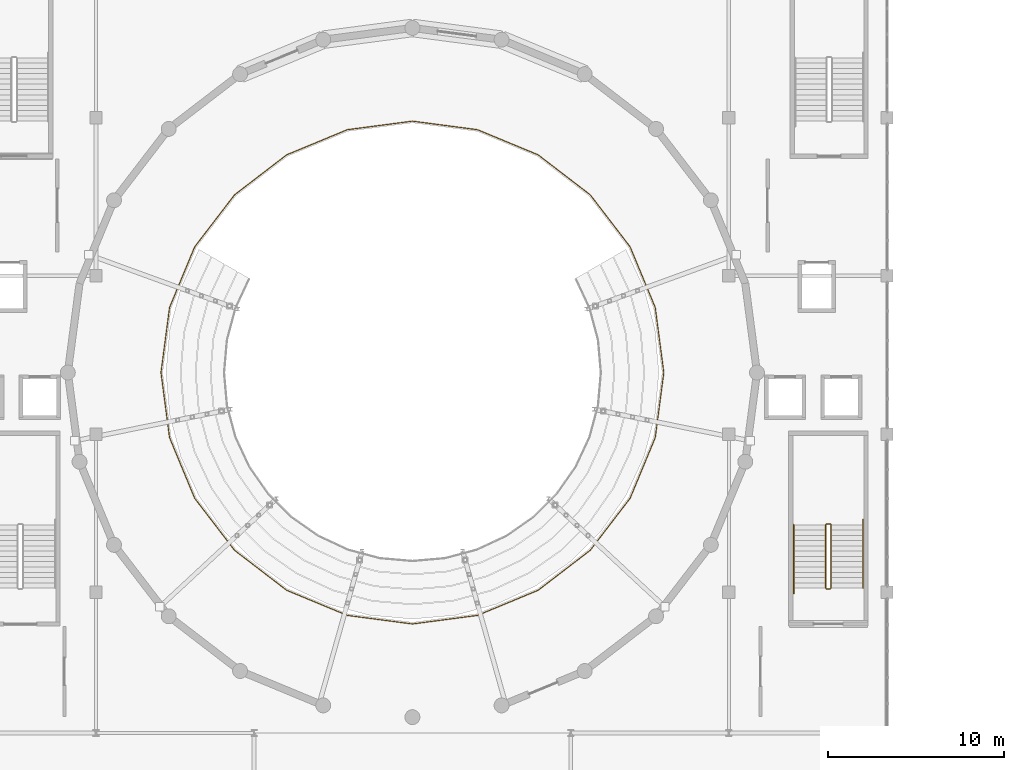
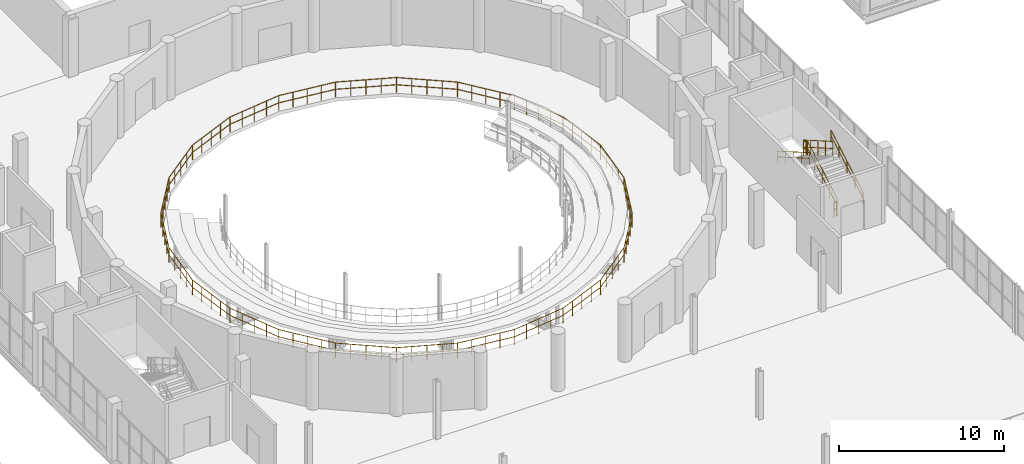
# One storey, part 68 of 73: 7 railings.
"""IFC4 building model written with IfcOpenShell, lengths in metres."""

from ifc_helpers import new_model, si_unit, direction, frame, origin, origin_2d, place, context, subcontext, project, spatial, circle, extrude, material, type_object, element, save


model = new_model("IFC4")

# Units and contexts
model_context = context("Model", 3, precision=1e-05, world=origin(), true_north=direction((0.0, 1.0)))
body_context = subcontext(model_context, "Body", "Model", "MODEL_VIEW")
ifc_project = project(units=[si_unit("LENGTHUNIT", "METRE"), si_unit("AREAUNIT", "SQUARE_METRE"), si_unit("VOLUMEUNIT", "CUBIC_METRE"), si_unit("PLANEANGLEUNIT", "RADIAN"), si_unit("MASSUNIT", "GRAM", prefix="KILO")], contexts=[model_context])

# Site, building, storey
site_placement = place(None, origin())
site = spatial("IfcSite", under=ifc_project, at=site_placement, CompositionType="ELEMENT")
building_placement = place(site_placement, origin())
building = spatial("IfcBuilding", under=site, at=building_placement, Name="Marnock Terrace Opera House", CompositionType="ELEMENT")
storey_placement = place(building_placement, frame((0.0, 0.0, 14.699951171875)))
storey = spatial("IfcBuildingStorey", under=building, at=storey_placement, Name="L03", CompositionType="ELEMENT", Elevation=14.699951171875)

# Railings
ifc_material = material(Name="Architectural bronze balustrade")
railing_type_1 = type_object("IfcRailingType", Name="RL-ATRIUM-1120", PredefinedType="BALUSTRADE", material=ifc_material)
railing_1_placement = place(storey_placement, frame((96.300048828125, 60.5, 0.0)))
element("IfcRailing", 1, at=railing_1_placement, inside=storey, type_object=railing_type_1, Name="L03 floor opening balustrade AUD-BOWL", PredefinedType="BALUSTRADE", context=body_context, shape_type="SweptSolid", body=[
    extrude(circle(Radius=0.02392578125, at=origin_2d()), frame((0.0, 0.0, 1.09619140625), z_axis=(-0.130479890315, 0.991450956035, 0.0), x_axis=(-0.991450956035, -0.130479890315, 0.0)), (0.0, 0.0, 1.0), 3.73291015625),
    extrude(circle(Radius=0.02392578125, at=origin_2d()), frame((0.0, 0.0, 0.56005859375), z_axis=(-0.130479890315, 0.991450956035, 0.0), x_axis=(-0.991450956035, -0.130479890315, 0.0)), (0.0, 0.0, 1.0), 3.73291015625),
    extrude(circle(Radius=0.02392578125, at=origin_2d()), frame((-0.487060546875, 3.700927734375, 1.09619140625), z_axis=(-0.382761856702, 0.923847044188, 0.0), x_axis=(-0.923847044188, -0.382761856702, 0.0)), (0.0, 0.0, 1.0), 3.733154296875),
    extrude(circle(Radius=0.02392578125, at=origin_2d()), frame((-0.487060546875, 3.700927734375, 0.56005859375), z_axis=(-0.382761856702, 0.923847044188, 0.0), x_axis=(-0.923847044188, -0.382761856702, 0.0)), (0.0, 0.0, 1.0), 3.733154296875),
    extrude(circle(Radius=0.02392578125, at=origin_2d()), frame((-1.916015625, 7.14990234375, 1.09619140625), z_axis=(-0.608597657863, 0.793478979459, 0.0), x_axis=(-0.793478979459, -0.608597657863, 0.0)), (0.0, 0.0, 1.0), 3.733154296875),
    extrude(circle(Radius=0.02392578125, at=origin_2d()), frame((-1.916015625, 7.14990234375, 0.56005859375), z_axis=(-0.608597657863, 0.793478979459, 0.0), x_axis=(-0.793478979459, -0.608597657863, 0.0)), (0.0, 0.0, 1.0), 3.733154296875),
    extrude(circle(Radius=0.02392578125, at=origin_2d()), frame((-4.18798828125, 10.112060546875, 1.09619140625), z_axis=(-0.793478979459, 0.608597657863, 0.0), x_axis=(-0.608597657863, -0.793478979459, 0.0)), (0.0, 0.0, 1.0), 3.733154296875),
    extrude(circle(Radius=0.02392578125, at=origin_2d()), frame((-4.18798828125, 10.112060546875, 0.56005859375), z_axis=(-0.793478979459, 0.608597657863, 0.0), x_axis=(-0.608597657863, -0.793478979459, 0.0)), (0.0, 0.0, 1.0), 3.733154296875),
    extrude(circle(Radius=0.02392578125, at=origin_2d()), frame((-7.150146484375, 12.384033203125, 1.09619140625), z_axis=(-0.923847044188, 0.382761856702, 0.0), x_axis=(-0.382761856702, -0.923847044188, 0.0)), (0.0, 0.0, 1.0), 3.733154296875),
    extrude(circle(Radius=0.02392578125, at=origin_2d()), frame((-7.150146484375, 12.384033203125, 0.56005859375), z_axis=(-0.923847044188, 0.382761856702, 0.0), x_axis=(-0.382761856702, -0.923847044188, 0.0)), (0.0, 0.0, 1.0), 3.733154296875),
    extrude(circle(Radius=0.02392578125, at=origin_2d()), frame((-10.59912109375, 13.81298828125, 1.09619140625), z_axis=(-0.991450956035, 0.130479890315, 0.0), x_axis=(-0.130479890315, -0.991450956035, 0.0)), (0.0, 0.0, 1.0), 3.73291015625),
    extrude(circle(Radius=0.02392578125, at=origin_2d()), frame((-10.59912109375, 13.81298828125, 0.56005859375), z_axis=(-0.991450956035, 0.130479890315, 0.0), x_axis=(-0.130479890315, -0.991450956035, 0.0)), (0.0, 0.0, 1.0), 3.73291015625),
    extrude(circle(Radius=0.02392578125, at=origin_2d()), frame((-14.300048828125, 14.300048828125, 1.09619140625), z_axis=(-0.991450956035, -0.130479890315, 0.0), x_axis=(0.130479890315, -0.991450956035, 0.0)), (0.0, 0.0, 1.0), 3.73291015625),
    extrude(circle(Radius=0.02392578125, at=origin_2d()), frame((-14.300048828125, 14.300048828125, 0.56005859375), z_axis=(-0.991450956035, -0.130479890315, 0.0), x_axis=(0.130479890315, -0.991450956035, 0.0)), (0.0, 0.0, 1.0), 3.73291015625),
    extrude(circle(Radius=0.02392578125, at=origin_2d()), frame((-18.0009765625, 13.81298828125, 1.09619140625), z_axis=(-0.923847044188, -0.382761856702, 0.0), x_axis=(0.382761856702, -0.923847044188, 0.0)), (0.0, 0.0, 1.0), 3.733154296875),
    extrude(circle(Radius=0.02392578125, at=origin_2d()), frame((-18.0009765625, 13.81298828125, 0.56005859375), z_axis=(-0.923847044188, -0.382761856702, 0.0), x_axis=(0.382761856702, -0.923847044188, 0.0)), (0.0, 0.0, 1.0), 3.733154296875),
    extrude(circle(Radius=0.02392578125, at=origin_2d()), frame((-21.449951171875, 12.384033203125, 1.09619140625), z_axis=(-0.793478979459, -0.608597657863, 0.0), x_axis=(0.608597657863, -0.793478979459, 0.0)), (0.0, 0.0, 1.0), 3.733154296875),
    extrude(circle(Radius=0.02392578125, at=origin_2d()), frame((-21.449951171875, 12.384033203125, 0.56005859375), z_axis=(-0.793478979459, -0.608597657863, 0.0), x_axis=(0.608597657863, -0.793478979459, 0.0)), (0.0, 0.0, 1.0), 3.733154296875),
    extrude(circle(Radius=0.02392578125, at=origin_2d()), frame((-24.412109375, 10.112060546875, 1.09619140625), z_axis=(-0.608597657863, -0.793478979459, 0.0), x_axis=(0.793478979459, -0.608597657863, 0.0)), (0.0, 0.0, 1.0), 3.733154296875),
    extrude(circle(Radius=0.02392578125, at=origin_2d()), frame((-24.412109375, 10.112060546875, 0.56005859375), z_axis=(-0.608597657863, -0.793478979459, 0.0), x_axis=(0.793478979459, -0.608597657863, 0.0)), (0.0, 0.0, 1.0), 3.733154296875),
    extrude(circle(Radius=0.02392578125, at=origin_2d()), frame((-26.68408203125, 7.14990234375, 1.09619140625), z_axis=(-0.382761856702, -0.923847044188, 0.0), x_axis=(0.923847044188, -0.382761856702, 0.0)), (0.0, 0.0, 1.0), 3.733154296875),
    extrude(circle(Radius=0.02392578125, at=origin_2d()), frame((-26.68408203125, 7.14990234375, 0.56005859375), z_axis=(-0.382761856702, -0.923847044188, 0.0), x_axis=(0.923847044188, -0.382761856702, 0.0)), (0.0, 0.0, 1.0), 3.733154296875),
    extrude(circle(Radius=0.02392578125, at=origin_2d()), frame((-28.113037109375, 3.700927734375, 1.09619140625), z_axis=(-0.130479890315, -0.991450956035, 0.0), x_axis=(0.991450956035, -0.130479890315, 0.0)), (0.0, 0.0, 1.0), 3.73291015625),
    extrude(circle(Radius=0.02392578125, at=origin_2d()), frame((-28.113037109375, 3.700927734375, 0.56005859375), z_axis=(-0.130479890315, -0.991450956035, 0.0), x_axis=(0.991450956035, -0.130479890315, 0.0)), (0.0, 0.0, 1.0), 3.73291015625),
    extrude(circle(Radius=0.02392578125, at=origin_2d()), frame((-28.60009765625, 0.0, 1.09619140625), z_axis=(0.130479890315, -0.991450956035, 0.0), x_axis=(0.991450956035, 0.130479890315, 0.0)), (0.0, 0.0, 1.0), 3.73291015625),
    extrude(circle(Radius=0.02392578125, at=origin_2d()), frame((-28.60009765625, 0.0, 0.56005859375), z_axis=(0.130479890315, -0.991450956035, 0.0), x_axis=(0.991450956035, 0.130479890315, 0.0)), (0.0, 0.0, 1.0), 3.73291015625),
    extrude(circle(Radius=0.02392578125, at=origin_2d()), frame((-28.113037109375, -3.700927734375, 1.09619140625), z_axis=(0.382761856702, -0.923847044188, 0.0), x_axis=(0.923847044188, 0.382761856702, 0.0)), (0.0, 0.0, 1.0), 3.733154296875),
    extrude(circle(Radius=0.02392578125, at=origin_2d()), frame((-28.113037109375, -3.700927734375, 0.56005859375), z_axis=(0.382761856702, -0.923847044188, 0.0), x_axis=(0.923847044188, 0.382761856702, 0.0)), (0.0, 0.0, 1.0), 3.733154296875),
    extrude(circle(Radius=0.02392578125, at=origin_2d()), frame((-26.68408203125, -7.14990234375, 1.09619140625), z_axis=(0.608597657863, -0.793478979459, 0.0), x_axis=(0.793478979459, 0.608597657863, 0.0)), (0.0, 0.0, 1.0), 3.733154296875),
    extrude(circle(Radius=0.02392578125, at=origin_2d()), frame((-26.68408203125, -7.14990234375, 0.56005859375), z_axis=(0.608597657863, -0.793478979459, 0.0), x_axis=(0.793478979459, 0.608597657863, 0.0)), (0.0, 0.0, 1.0), 3.733154296875),
    extrude(circle(Radius=0.02392578125, at=origin_2d()), frame((-24.412109375, -10.112060546875, 1.09619140625), z_axis=(0.793478979459, -0.608597657863, 0.0), x_axis=(0.608597657863, 0.793478979459, 0.0)), (0.0, 0.0, 1.0), 3.733154296875),
    extrude(circle(Radius=0.02392578125, at=origin_2d()), frame((-24.412109375, -10.112060546875, 0.56005859375), z_axis=(0.793478979459, -0.608597657863, 0.0), x_axis=(0.608597657863, 0.793478979459, 0.0)), (0.0, 0.0, 1.0), 3.733154296875),
    extrude(circle(Radius=0.02392578125, at=origin_2d()), frame((-21.449951171875, -12.384033203125, 1.09619140625), z_axis=(0.923847044188, -0.382761856702, 0.0), x_axis=(0.382761856702, 0.923847044188, 0.0)), (0.0, 0.0, 1.0), 3.733154296875),
    extrude(circle(Radius=0.02392578125, at=origin_2d()), frame((-21.449951171875, -12.384033203125, 0.56005859375), z_axis=(0.923847044188, -0.382761856702, 0.0), x_axis=(0.382761856702, 0.923847044188, 0.0)), (0.0, 0.0, 1.0), 3.733154296875),
    extrude(circle(Radius=0.02392578125, at=origin_2d()), frame((-18.0009765625, -13.81298828125, 1.09619140625), z_axis=(0.991450956035, -0.130479890315, 0.0), x_axis=(0.130479890315, 0.991450956035, 0.0)), (0.0, 0.0, 1.0), 3.73291015625),
    extrude(circle(Radius=0.02392578125, at=origin_2d()), frame((-18.0009765625, -13.81298828125, 0.56005859375), z_axis=(0.991450956035, -0.130479890315, 0.0), x_axis=(0.130479890315, 0.991450956035, 0.0)), (0.0, 0.0, 1.0), 3.73291015625),
    extrude(circle(Radius=0.02392578125, at=origin_2d()), frame((-14.300048828125, -14.300048828125, 1.09619140625), z_axis=(0.991450956035, 0.130479890315, 0.0), x_axis=(-0.130479890315, 0.991450956035, 0.0)), (0.0, 0.0, 1.0), 3.73291015625),
    extrude(circle(Radius=0.02392578125, at=origin_2d()), frame((-14.300048828125, -14.300048828125, 0.56005859375), z_axis=(0.991450956035, 0.130479890315, 0.0), x_axis=(-0.130479890315, 0.991450956035, 0.0)), (0.0, 0.0, 1.0), 3.73291015625),
    extrude(circle(Radius=0.02392578125, at=origin_2d()), frame((-10.59912109375, -13.81298828125, 1.09619140625), z_axis=(0.923847044188, 0.382761856702, 0.0), x_axis=(-0.382761856702, 0.923847044188, 0.0)), (0.0, 0.0, 1.0), 3.733154296875),
    extrude(circle(Radius=0.02392578125, at=origin_2d()), frame((-10.59912109375, -13.81298828125, 0.56005859375), z_axis=(0.923847044188, 0.382761856702, 0.0), x_axis=(-0.382761856702, 0.923847044188, 0.0)), (0.0, 0.0, 1.0), 3.733154296875),
    extrude(circle(Radius=0.02392578125, at=origin_2d()), frame((-7.150146484375, -12.384033203125, 1.09619140625), z_axis=(0.793478979459, 0.608597657863, 0.0), x_axis=(-0.608597657863, 0.793478979459, 0.0)), (0.0, 0.0, 1.0), 3.733154296875),
    extrude(circle(Radius=0.02392578125, at=origin_2d()), frame((-7.150146484375, -12.384033203125, 0.56005859375), z_axis=(0.793478979459, 0.608597657863, 0.0), x_axis=(-0.608597657863, 0.793478979459, 0.0)), (0.0, 0.0, 1.0), 3.733154296875),
    extrude(circle(Radius=0.02392578125, at=origin_2d()), frame((-4.18798828125, -10.112060546875, 1.09619140625), z_axis=(0.608597657863, 0.793478979459, 0.0), x_axis=(-0.793478979459, 0.608597657863, 0.0)), (0.0, 0.0, 1.0), 3.733154296875),
    extrude(circle(Radius=0.02392578125, at=origin_2d()), frame((-4.18798828125, -10.112060546875, 0.56005859375), z_axis=(0.608597657863, 0.793478979459, 0.0), x_axis=(-0.793478979459, 0.608597657863, 0.0)), (0.0, 0.0, 1.0), 3.733154296875),
    extrude(circle(Radius=0.02392578125, at=origin_2d()), frame((-1.916015625, -7.14990234375, 1.09619140625), z_axis=(0.382761856702, 0.923847044188, 0.0), x_axis=(-0.923847044188, 0.382761856702, 0.0)), (0.0, 0.0, 1.0), 3.733154296875),
    extrude(circle(Radius=0.02392578125, at=origin_2d()), frame((-1.916015625, -7.14990234375, 0.56005859375), z_axis=(0.382761856702, 0.923847044188, 0.0), x_axis=(-0.923847044188, 0.382761856702, 0.0)), (0.0, 0.0, 1.0), 3.733154296875),
    extrude(circle(Radius=0.02392578125, at=origin_2d()), frame((-0.487060546875, -3.700927734375, 1.09619140625), z_axis=(0.130479890315, 0.991450956035, 0.0), x_axis=(-0.991450956035, 0.130479890315, 0.0)), (0.0, 0.0, 1.0), 3.73291015625),
    extrude(circle(Radius=0.02392578125, at=origin_2d()), frame((-0.487060546875, -3.700927734375, 0.56005859375), z_axis=(0.130479890315, 0.991450956035, 0.0), x_axis=(-0.991450956035, 0.130479890315, 0.0)), (0.0, 0.0, 1.0), 3.73291015625),
    extrude(circle(Radius=0.02099609375, at=origin_2d()), origin(), (0.0, 0.0, 1.0), 1.072021484375),
    extrude(circle(Radius=0.02099609375, at=origin_2d()), frame((-0.121826171875, 0.92529296875, 0.0)), (0.0, 0.0, 1.0), 1.072021484375),
    extrude(circle(Radius=0.02099609375, at=origin_2d()), frame((-0.24365234375, 1.8505859375, 0.0)), (0.0, 0.0, 1.0), 1.072021484375),
    extrude(circle(Radius=0.02099609375, at=origin_2d()), frame((-0.365234375, 2.775634765625, 0.0)), (0.0, 0.0, 1.0), 1.072021484375),
    extrude(circle(Radius=0.02099609375, at=origin_2d()), frame((-0.487060546875, 3.700927734375, 0.0)), (0.0, 0.0, 1.0), 1.072021484375),
    extrude(circle(Radius=0.02099609375, at=origin_2d()), frame((-0.84423828125, 4.563232421875, 0.0)), (0.0, 0.0, 1.0), 1.072021484375),
    extrude(circle(Radius=0.02099609375, at=origin_2d()), frame((-1.20166015625, 5.42529296875, 0.0)), (0.0, 0.0, 1.0), 1.072021484375),
    extrude(circle(Radius=0.02099609375, at=origin_2d()), frame((-1.558837890625, 6.28759765625, 0.0)), (0.0, 0.0, 1.0), 1.072021484375),
    extrude(circle(Radius=0.02099609375, at=origin_2d()), frame((-1.916015625, 7.14990234375, 0.0)), (0.0, 0.0, 1.0), 1.072021484375),
    extrude(circle(Radius=0.02099609375, at=origin_2d()), frame((-2.48388671875, 7.890380859375, 0.0)), (0.0, 0.0, 1.0), 1.072021484375),
    extrude(circle(Radius=0.02099609375, at=origin_2d()), frame((-3.052001953125, 8.630859375, 0.0)), (0.0, 0.0, 1.0), 1.072021484375),
    extrude(circle(Radius=0.02099609375, at=origin_2d()), frame((-3.6201171875, 9.37158203125, 0.0)), (0.0, 0.0, 1.0), 1.072021484375),
    extrude(circle(Radius=0.02099609375, at=origin_2d()), frame((-4.18798828125, 10.112060546875, 0.0)), (0.0, 0.0, 1.0), 1.072021484375),
    extrude(circle(Radius=0.02099609375, at=origin_2d()), frame((-4.928466796875, 10.68017578125, 0.0)), (0.0, 0.0, 1.0), 1.072021484375),
    extrude(circle(Radius=0.02099609375, at=origin_2d()), frame((-5.6689453125, 11.248046875, 0.0)), (0.0, 0.0, 1.0), 1.072021484375),
    extrude(circle(Radius=0.02099609375, at=origin_2d()), frame((-6.40966796875, 11.81591796875, 0.0)), (0.0, 0.0, 1.0), 1.072021484375),
    extrude(circle(Radius=0.02099609375, at=origin_2d()), frame((-7.150146484375, 12.384033203125, 0.0)), (0.0, 0.0, 1.0), 1.072021484375),
    extrude(circle(Radius=0.02099609375, at=origin_2d()), frame((-8.012451171875, 12.7412109375, 0.0)), (0.0, 0.0, 1.0), 1.072021484375),
    extrude(circle(Radius=0.02099609375, at=origin_2d()), frame((-8.87451171875, 13.0986328125, 0.0)), (0.0, 0.0, 1.0), 1.072021484375),
    extrude(circle(Radius=0.02099609375, at=origin_2d()), frame((-9.73681640625, 13.455810546875, 0.0)), (0.0, 0.0, 1.0), 1.072021484375),
    extrude(circle(Radius=0.02099609375, at=origin_2d()), frame((-10.59912109375, 13.81298828125, 0.0)), (0.0, 0.0, 1.0), 1.072021484375),
    extrude(circle(Radius=0.02099609375, at=origin_2d()), frame((-11.5244140625, 13.934814453125, 0.0)), (0.0, 0.0, 1.0), 1.072021484375),
    extrude(circle(Radius=0.02099609375, at=origin_2d()), frame((-12.44970703125, 14.056640625, 0.0)), (0.0, 0.0, 1.0), 1.072021484375),
    extrude(circle(Radius=0.02099609375, at=origin_2d()), frame((-13.374755859375, 14.17822265625, 0.0)), (0.0, 0.0, 1.0), 1.072021484375),
    extrude(circle(Radius=0.02099609375, at=origin_2d()), frame((-14.300048828125, 14.300048828125, 0.0)), (0.0, 0.0, 1.0), 1.072021484375),
    extrude(circle(Radius=0.02099609375, at=origin_2d()), frame((-15.225341796875, 14.17822265625, 0.0)), (0.0, 0.0, 1.0), 1.072021484375),
    extrude(circle(Radius=0.02099609375, at=origin_2d()), frame((-16.150390625, 14.056640625, 0.0)), (0.0, 0.0, 1.0), 1.072021484375),
    extrude(circle(Radius=0.02099609375, at=origin_2d()), frame((-17.07568359375, 13.934814453125, 0.0)), (0.0, 0.0, 1.0), 1.072021484375),
    extrude(circle(Radius=0.02099609375, at=origin_2d()), frame((-18.0009765625, 13.81298828125, 0.0)), (0.0, 0.0, 1.0), 1.072021484375),
    extrude(circle(Radius=0.02099609375, at=origin_2d()), frame((-18.86328125, 13.455810546875, 0.0)), (0.0, 0.0, 1.0), 1.072021484375),
    extrude(circle(Radius=0.02099609375, at=origin_2d()), frame((-19.7255859375, 13.0986328125, 0.0)), (0.0, 0.0, 1.0), 1.072021484375),
    extrude(circle(Radius=0.02099609375, at=origin_2d()), frame((-20.587646484375, 12.7412109375, 0.0)), (0.0, 0.0, 1.0), 1.072021484375),
    extrude(circle(Radius=0.02099609375, at=origin_2d()), frame((-21.449951171875, 12.384033203125, 0.0)), (0.0, 0.0, 1.0), 1.072021484375),
    extrude(circle(Radius=0.02099609375, at=origin_2d()), frame((-22.1904296875, 11.81591796875, 0.0)), (0.0, 0.0, 1.0), 1.072021484375),
    extrude(circle(Radius=0.02099609375, at=origin_2d()), frame((-22.93115234375, 11.248046875, 0.0)), (0.0, 0.0, 1.0), 1.072021484375),
    extrude(circle(Radius=0.02099609375, at=origin_2d()), frame((-23.671630859375, 10.68017578125, 0.0)), (0.0, 0.0, 1.0), 1.072021484375),
    extrude(circle(Radius=0.02099609375, at=origin_2d()), frame((-24.412109375, 10.112060546875, 0.0)), (0.0, 0.0, 1.0), 1.072021484375),
    extrude(circle(Radius=0.02099609375, at=origin_2d()), frame((-24.97998046875, 9.37158203125, 0.0)), (0.0, 0.0, 1.0), 1.072021484375),
    extrude(circle(Radius=0.02099609375, at=origin_2d()), frame((-25.548095703125, 8.630859375, 0.0)), (0.0, 0.0, 1.0), 1.072021484375),
    extrude(circle(Radius=0.02099609375, at=origin_2d()), frame((-26.1162109375, 7.890380859375, 0.0)), (0.0, 0.0, 1.0), 1.072021484375),
    extrude(circle(Radius=0.02099609375, at=origin_2d()), frame((-26.68408203125, 7.14990234375, 0.0)), (0.0, 0.0, 1.0), 1.072021484375),
    extrude(circle(Radius=0.02099609375, at=origin_2d()), frame((-27.041259765625, 6.28759765625, 0.0)), (0.0, 0.0, 1.0), 1.072021484375),
    extrude(circle(Radius=0.02099609375, at=origin_2d()), frame((-27.3984375, 5.42529296875, 0.0)), (0.0, 0.0, 1.0), 1.072021484375),
    extrude(circle(Radius=0.02099609375, at=origin_2d()), frame((-27.755859375, 4.563232421875, 0.0)), (0.0, 0.0, 1.0), 1.072021484375),
    extrude(circle(Radius=0.02099609375, at=origin_2d()), frame((-28.113037109375, 3.700927734375, 0.0)), (0.0, 0.0, 1.0), 1.072021484375),
    extrude(circle(Radius=0.02099609375, at=origin_2d()), frame((-28.23486328125, 2.775634765625, 0.0)), (0.0, 0.0, 1.0), 1.072021484375),
    extrude(circle(Radius=0.02099609375, at=origin_2d()), frame((-28.3564453125, 1.8505859375, 0.0)), (0.0, 0.0, 1.0), 1.072021484375),
    extrude(circle(Radius=0.02099609375, at=origin_2d()), frame((-28.478271484375, 0.92529296875, 0.0)), (0.0, 0.0, 1.0), 1.072021484375),
    extrude(circle(Radius=0.02099609375, at=origin_2d()), frame((-28.60009765625, 0.0, 0.0)), (0.0, 0.0, 1.0), 1.072021484375),
    extrude(circle(Radius=0.02099609375, at=origin_2d()), frame((-28.478271484375, -0.92529296875, 0.0)), (0.0, 0.0, 1.0), 1.072021484375),
    extrude(circle(Radius=0.02099609375, at=origin_2d()), frame((-28.3564453125, -1.8505859375, 0.0)), (0.0, 0.0, 1.0), 1.072021484375),
    extrude(circle(Radius=0.02099609375, at=origin_2d()), frame((-28.23486328125, -2.775634765625, 0.0)), (0.0, 0.0, 1.0), 1.072021484375),
    extrude(circle(Radius=0.02099609375, at=origin_2d()), frame((-28.113037109375, -3.700927734375, 0.0)), (0.0, 0.0, 1.0), 1.072021484375),
    extrude(circle(Radius=0.02099609375, at=origin_2d()), frame((-27.755859375, -4.563232421875, 0.0)), (0.0, 0.0, 1.0), 1.072021484375),
    extrude(circle(Radius=0.02099609375, at=origin_2d()), frame((-27.3984375, -5.42529296875, 0.0)), (0.0, 0.0, 1.0), 1.072021484375),
    extrude(circle(Radius=0.02099609375, at=origin_2d()), frame((-27.041259765625, -6.28759765625, 0.0)), (0.0, 0.0, 1.0), 1.072021484375),
    extrude(circle(Radius=0.02099609375, at=origin_2d()), frame((-26.68408203125, -7.14990234375, 0.0)), (0.0, 0.0, 1.0), 1.072021484375),
    extrude(circle(Radius=0.02099609375, at=origin_2d()), frame((-26.1162109375, -7.890380859375, 0.0)), (0.0, 0.0, 1.0), 1.072021484375),
    extrude(circle(Radius=0.02099609375, at=origin_2d()), frame((-25.548095703125, -8.630859375, 0.0)), (0.0, 0.0, 1.0), 1.072021484375),
    extrude(circle(Radius=0.02099609375, at=origin_2d()), frame((-24.97998046875, -9.37158203125, 0.0)), (0.0, 0.0, 1.0), 1.072021484375),
    extrude(circle(Radius=0.02099609375, at=origin_2d()), frame((-24.412109375, -10.112060546875, 0.0)), (0.0, 0.0, 1.0), 1.072021484375),
    extrude(circle(Radius=0.02099609375, at=origin_2d()), frame((-23.671630859375, -10.68017578125, 0.0)), (0.0, 0.0, 1.0), 1.072021484375),
    extrude(circle(Radius=0.02099609375, at=origin_2d()), frame((-22.93115234375, -11.248046875, 0.0)), (0.0, 0.0, 1.0), 1.072021484375),
    extrude(circle(Radius=0.02099609375, at=origin_2d()), frame((-22.1904296875, -11.81591796875, 0.0)), (0.0, 0.0, 1.0), 1.072021484375),
    extrude(circle(Radius=0.02099609375, at=origin_2d()), frame((-21.449951171875, -12.384033203125, 0.0)), (0.0, 0.0, 1.0), 1.072021484375),
    extrude(circle(Radius=0.02099609375, at=origin_2d()), frame((-20.587646484375, -12.7412109375, 0.0)), (0.0, 0.0, 1.0), 1.072021484375),
    extrude(circle(Radius=0.02099609375, at=origin_2d()), frame((-19.7255859375, -13.0986328125, 0.0)), (0.0, 0.0, 1.0), 1.072021484375),
    extrude(circle(Radius=0.02099609375, at=origin_2d()), frame((-18.86328125, -13.455810546875, 0.0)), (0.0, 0.0, 1.0), 1.072021484375),
    extrude(circle(Radius=0.02099609375, at=origin_2d()), frame((-18.0009765625, -13.81298828125, 0.0)), (0.0, 0.0, 1.0), 1.072021484375),
    extrude(circle(Radius=0.02099609375, at=origin_2d()), frame((-17.07568359375, -13.934814453125, 0.0)), (0.0, 0.0, 1.0), 1.072021484375),
    extrude(circle(Radius=0.02099609375, at=origin_2d()), frame((-16.150390625, -14.056640625, 0.0)), (0.0, 0.0, 1.0), 1.072021484375),
    extrude(circle(Radius=0.02099609375, at=origin_2d()), frame((-15.225341796875, -14.17822265625, 0.0)), (0.0, 0.0, 1.0), 1.072021484375),
    extrude(circle(Radius=0.02099609375, at=origin_2d()), frame((-14.300048828125, -14.300048828125, 0.0)), (0.0, 0.0, 1.0), 1.072021484375),
    extrude(circle(Radius=0.02099609375, at=origin_2d()), frame((-13.374755859375, -14.17822265625, 0.0)), (0.0, 0.0, 1.0), 1.072021484375),
    extrude(circle(Radius=0.02099609375, at=origin_2d()), frame((-12.44970703125, -14.056640625, 0.0)), (0.0, 0.0, 1.0), 1.072021484375),
    extrude(circle(Radius=0.02099609375, at=origin_2d()), frame((-11.5244140625, -13.934814453125, 0.0)), (0.0, 0.0, 1.0), 1.072021484375),
    extrude(circle(Radius=0.02099609375, at=origin_2d()), frame((-10.59912109375, -13.81298828125, 0.0)), (0.0, 0.0, 1.0), 1.072021484375),
    extrude(circle(Radius=0.02099609375, at=origin_2d()), frame((-9.73681640625, -13.455810546875, 0.0)), (0.0, 0.0, 1.0), 1.072021484375),
    extrude(circle(Radius=0.02099609375, at=origin_2d()), frame((-8.87451171875, -13.0986328125, 0.0)), (0.0, 0.0, 1.0), 1.072021484375),
    extrude(circle(Radius=0.02099609375, at=origin_2d()), frame((-8.012451171875, -12.7412109375, 0.0)), (0.0, 0.0, 1.0), 1.072021484375),
    extrude(circle(Radius=0.02099609375, at=origin_2d()), frame((-7.150146484375, -12.384033203125, 0.0)), (0.0, 0.0, 1.0), 1.072021484375),
    extrude(circle(Radius=0.02099609375, at=origin_2d()), frame((-6.40966796875, -11.81591796875, 0.0)), (0.0, 0.0, 1.0), 1.072021484375),
    extrude(circle(Radius=0.02099609375, at=origin_2d()), frame((-5.6689453125, -11.248046875, 0.0)), (0.0, 0.0, 1.0), 1.072021484375),
    extrude(circle(Radius=0.02099609375, at=origin_2d()), frame((-4.928466796875, -10.68017578125, 0.0)), (0.0, 0.0, 1.0), 1.072021484375),
    extrude(circle(Radius=0.02099609375, at=origin_2d()), frame((-4.18798828125, -10.112060546875, 0.0)), (0.0, 0.0, 1.0), 1.072021484375),
    extrude(circle(Radius=0.02099609375, at=origin_2d()), frame((-3.6201171875, -9.37158203125, 0.0)), (0.0, 0.0, 1.0), 1.072021484375),
    extrude(circle(Radius=0.02099609375, at=origin_2d()), frame((-3.052001953125, -8.630859375, 0.0)), (0.0, 0.0, 1.0), 1.072021484375),
    extrude(circle(Radius=0.02099609375, at=origin_2d()), frame((-2.48388671875, -7.890380859375, 0.0)), (0.0, 0.0, 1.0), 1.072021484375),
    extrude(circle(Radius=0.02099609375, at=origin_2d()), frame((-1.916015625, -7.14990234375, 0.0)), (0.0, 0.0, 1.0), 1.072021484375),
    extrude(circle(Radius=0.02099609375, at=origin_2d()), frame((-1.558837890625, -6.28759765625, 0.0)), (0.0, 0.0, 1.0), 1.072021484375),
    extrude(circle(Radius=0.02099609375, at=origin_2d()), frame((-1.20166015625, -5.42529296875, 0.0)), (0.0, 0.0, 1.0), 1.072021484375),
    extrude(circle(Radius=0.02099609375, at=origin_2d()), frame((-0.84423828125, -4.563232421875, 0.0)), (0.0, 0.0, 1.0), 1.072021484375),
    extrude(circle(Radius=0.02099609375, at=origin_2d()), frame((-0.487060546875, -3.700927734375, 0.0)), (0.0, 0.0, 1.0), 1.072021484375),
    extrude(circle(Radius=0.02099609375, at=origin_2d()), frame((-0.365234375, -2.775634765625, 0.0)), (0.0, 0.0, 1.0), 1.072021484375),
    extrude(circle(Radius=0.02099609375, at=origin_2d()), frame((-0.24365234375, -1.8505859375, 0.0)), (0.0, 0.0, 1.0), 1.072021484375),
    extrude(circle(Radius=0.02099609375, at=origin_2d()), frame((-0.121826171875, -0.92529296875, 0.0)), (0.0, 0.0, 1.0), 1.072021484375),
])
railing_type_2 = type_object("IfcRailingType", Name="RL-GUARD-1100", PredefinedType="GUARDRAIL", material=ifc_material)
railing_2_placement = place(storey_placement, frame((105.81005859375, 48.239990234375, 0.173095703125)))
element("IfcRailing", 2, at=railing_2_placement, inside=storey, type_object=railing_type_2, Name="L03 ST-02 stair guard 1", PredefinedType="GUARDRAIL", context=body_context, shape_type="SweptSolid", body=[
    extrude(circle(Radius=0.02392578125, at=origin_2d()), frame((0.0, 0.0, 1.076171875), z_axis=(0.0, 0.866193409371, 0.499708892819), x_axis=(-1.0, 0.0, 0.0)), (0.0, 0.0, 1.0), 4.15625),
    extrude(circle(Radius=0.02392578125, at=origin_2d()), frame((0.0, 0.0, 0.550048828125), z_axis=(0.0, 0.866193409371, 0.499708892819), x_axis=(-1.0, 0.0, 0.0)), (0.0, 0.0, 1.0), 4.15625),
    extrude(circle(Radius=0.02099609375, at=origin_2d()), origin(), (0.0, 0.0, 1.0), 1.052001953125),
    extrude(circle(Radius=0.02099609375, at=origin_2d()), frame((0.0, 0.89990234375, 0.519287109375)), (0.0, 0.0, 1.0), 1.052001953125),
    extrude(circle(Radius=0.02099609375, at=origin_2d()), frame((0.0, 1.800048828125, 1.03857421875)), (0.0, 0.0, 1.0), 1.052001953125),
    extrude(circle(Radius=0.02099609375, at=origin_2d()), frame((0.0, 2.7001953125, 1.5576171875)), (0.0, 0.0, 1.0), 1.052001953125),
    extrude(circle(Radius=0.02099609375, at=origin_2d()), frame((0.0, 3.60009765625, 2.076904296875)), (0.0, 0.0, 1.0), 1.052001953125),
])
railing_3_placement = place(storey_placement, frame((105.760009765625, 51.889892578125, 2.25)))
element("IfcRailing", 3, at=railing_3_placement, inside=storey, type_object=railing_type_2, Name="L03 ST-02 stair guard 2", PredefinedType="GUARDRAIL", context=body_context, shape_type="SweptSolid", body=[
    extrude(circle(Radius=0.02392578125, at=origin_2d()), frame((0.0, 0.0, 1.076171875), z_axis=(-1.0, 0.0, 0.0), x_axis=(0.0, -1.0, 0.0)), (0.0, 0.0, 1.0), 0.199951171875),
    extrude(circle(Radius=0.02392578125, at=origin_2d()), frame((0.0, 0.0, 0.550048828125), z_axis=(-1.0, 0.0, 0.0), x_axis=(0.0, -1.0, 0.0)), (0.0, 0.0, 1.0), 0.199951171875),
    extrude(circle(Radius=0.02099609375, at=origin_2d()), origin(), (0.0, 0.0, 1.0), 1.052001953125),
    extrude(circle(Radius=0.02099609375, at=origin_2d()), frame((-0.199951171875, 0.0, 0.0)), (0.0, 0.0, 1.0), 1.052001953125),
])
railing_4_placement = place(storey_placement, frame((105.510009765625, 51.840087890625, 2.423095703125)))
element("IfcRailing", 4, at=railing_4_placement, inside=storey, type_object=railing_type_2, Name="L03 ST-02 stair guard 3", PredefinedType="GUARDRAIL", context=body_context, shape_type="SweptSolid", body=[
    extrude(circle(Radius=0.02392578125, at=origin_2d()), frame((0.0, 0.0, 1.076171875), z_axis=(0.0, -0.866193409371, 0.499708892819), x_axis=(1.0, 0.0, 0.0)), (0.0, 0.0, 1.0), 4.15625),
    extrude(circle(Radius=0.02392578125, at=origin_2d()), frame((0.0, 0.0, 0.550048828125), z_axis=(0.0, -0.866193409371, 0.499708892819), x_axis=(1.0, 0.0, 0.0)), (0.0, 0.0, 1.0), 4.15625),
    extrude(circle(Radius=0.02099609375, at=origin_2d()), origin(), (0.0, 0.0, 1.0), 1.052001953125),
    extrude(circle(Radius=0.02099609375, at=origin_2d()), frame((0.0, -0.89990234375, 0.519287109375)), (0.0, 0.0, 1.0), 1.052001953125),
    extrude(circle(Radius=0.02099609375, at=origin_2d()), frame((0.0, -1.800048828125, 1.03857421875)), (0.0, 0.0, 1.0), 1.052001953125),
    extrude(circle(Radius=0.02099609375, at=origin_2d()), frame((0.0, -2.7001953125, 1.5576171875)), (0.0, 0.0, 1.0), 1.052001953125),
    extrude(circle(Radius=0.02099609375, at=origin_2d()), frame((0.0, -3.60009765625, 2.076904296875)), (0.0, 0.0, 1.0), 1.052001953125),
])
railing_5_placement = place(storey_placement, frame((105.760009765625, 48.18994140625, 0.0)))
element("IfcRailing", 5, at=railing_5_placement, inside=storey, type_object=railing_type_2, Name="L03 ST-02 stair guard 4", PredefinedType="GUARDRAIL", context=body_context, shape_type="SweptSolid", body=[
    extrude(circle(Radius=0.02392578125, at=origin_2d()), frame((0.0, 0.0, 1.076171875), z_axis=(-1.0, 0.0, 0.0), x_axis=(0.0, -1.0, 0.0)), (0.0, 0.0, 1.0), 0.199951171875),
    extrude(circle(Radius=0.02392578125, at=origin_2d()), frame((0.0, 0.0, 0.550048828125), z_axis=(-1.0, 0.0, 0.0), x_axis=(0.0, -1.0, 0.0)), (0.0, 0.0, 1.0), 0.199951171875),
    extrude(circle(Radius=0.02099609375, at=origin_2d()), origin(), (0.0, 0.0, 1.0), 1.052001953125),
    extrude(circle(Radius=0.02099609375, at=origin_2d()), frame((-0.199951171875, 0.0, 0.0)), (0.0, 0.0, 1.0), 1.052001953125),
])
railing_type_3 = type_object("IfcRailingType", Name="RL-HAND-900", PredefinedType="HANDRAIL", material=ifc_material)
railing_6_placement = place(storey_placement, frame((107.6298828125, 48.239990234375, 0.18505859375)))
element("IfcRailing", 6, at=railing_6_placement, inside=storey, type_object=railing_type_3, Name="L03 ST-02 stair handrail 1", PredefinedType="HANDRAIL", context=body_context, shape_type="SweptSolid", body=[
    extrude(circle(Radius=0.02392578125, at=origin_2d()), frame((0.0, 0.0, 0.8759765625), z_axis=(0.0, 0.866180169578, 0.49973184192), x_axis=(-1.0, 0.0, 0.0)), (0.0, 0.0, 1.0), 4.50244140625),
    extrude(circle(Radius=0.02392578125, at=origin_2d()), frame((0.0, 0.0, 0.449951171875), z_axis=(0.0, 0.866180169578, 0.49973184192), x_axis=(-1.0, 0.0, 0.0)), (0.0, 0.0, 1.0), 4.50244140625),
    extrude(circle(Radius=0.02099609375, at=origin_2d()), origin(), (0.0, 0.0, 1.0), 0.851806640625),
    extrude(circle(Radius=0.02099609375, at=origin_2d()), frame((0.0, 0.97509765625, 0.5625)), (0.0, 0.0, 1.0), 0.851806640625),
    extrude(circle(Radius=0.02099609375, at=origin_2d()), frame((0.0, 1.949951171875, 1.125)), (0.0, 0.0, 1.0), 0.851806640625),
    extrude(circle(Radius=0.02099609375, at=origin_2d()), frame((0.0, 2.9248046875, 1.6875)), (0.0, 0.0, 1.0), 0.851806640625),
    extrude(circle(Radius=0.02099609375, at=origin_2d()), frame((0.0, 3.89990234375, 2.25)), (0.0, 0.0, 1.0), 0.851806640625),
])
railing_7_placement = place(storey_placement, frame((103.68994140625, 51.840087890625, 2.43505859375)))
element("IfcRailing", 7, at=railing_7_placement, inside=storey, type_object=railing_type_3, Name="L03 ST-02 stair handrail 2", PredefinedType="HANDRAIL", context=body_context, shape_type="SweptSolid", body=[
    extrude(circle(Radius=0.02392578125, at=origin_2d()), frame((0.0, 0.0, 0.8759765625), z_axis=(0.0, -0.866193710181, 0.499708371395), x_axis=(1.0, 0.0, 0.0)), (0.0, 0.0, 1.0), 4.502685546875),
    extrude(circle(Radius=0.02392578125, at=origin_2d()), frame((0.0, 0.0, 0.449951171875), z_axis=(0.0, -0.866193710181, 0.499708371395), x_axis=(1.0, 0.0, 0.0)), (0.0, 0.0, 1.0), 4.502685546875),
    extrude(circle(Radius=0.02099609375, at=origin_2d()), origin(), (0.0, 0.0, 1.0), 0.851806640625),
    extrude(circle(Radius=0.02099609375, at=origin_2d()), frame((0.0, -0.97509765625, 0.5625)), (0.0, 0.0, 1.0), 0.851806640625),
    extrude(circle(Radius=0.02099609375, at=origin_2d()), frame((0.0, -1.9501953125, 1.125)), (0.0, 0.0, 1.0), 0.851806640625),
    extrude(circle(Radius=0.02099609375, at=origin_2d()), frame((0.0, -2.925048828125, 1.6875)), (0.0, 0.0, 1.0), 0.851806640625),
    extrude(circle(Radius=0.02099609375, at=origin_2d()), frame((0.0, -3.900146484375, 2.25)), (0.0, 0.0, 1.0), 0.851806640625),
])

save(model, "model.ifc")
